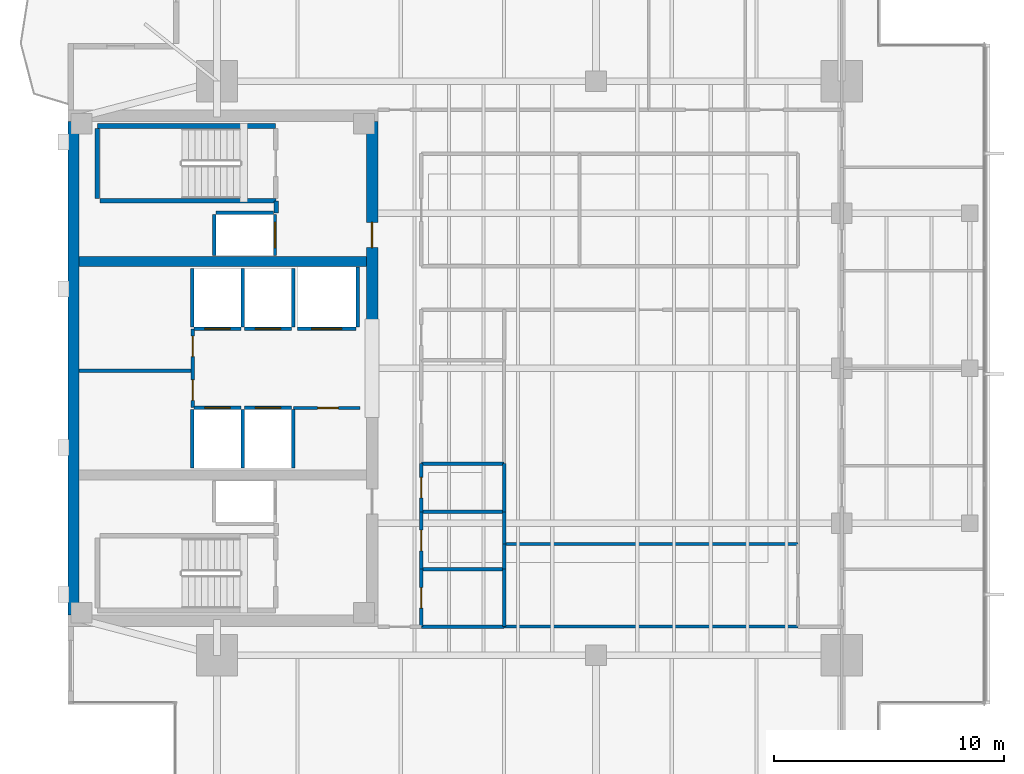
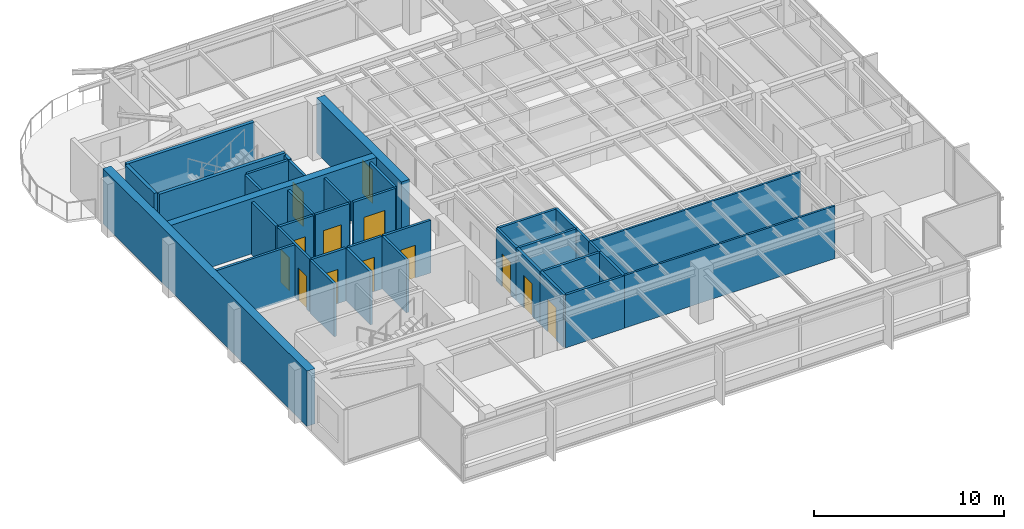
# One storey, part 8 of 14: 38 walls, 13 doors, 13 openings.
"""IFC4 building model written with IfcOpenShell, lengths in metres."""

from ifc_helpers import new_model, si_unit, direction, frame, frame_2d, origin, place, context, subcontext, project, spatial, rectangle, extrude, material, layer, layer_set, type_object, element, fill, save


model = new_model("IFC4")

# Units and contexts
model_context = context("Model", 3, precision=1e-05, world=origin(), true_north=direction((0.0, 1.0)))
body_context = subcontext(model_context, "Body", "Model", "MODEL_VIEW")
ifc_project = project(units=[si_unit("LENGTHUNIT", "METRE"), si_unit("AREAUNIT", "SQUARE_METRE"), si_unit("VOLUMEUNIT", "CUBIC_METRE"), si_unit("PLANEANGLEUNIT", "RADIAN"), si_unit("MASSUNIT", "GRAM", prefix="KILO")], contexts=[model_context])

# Site, building, storey
site_placement = place(None, origin())
site = spatial("IfcSite", under=ifc_project, at=site_placement, CompositionType="ELEMENT")
building_placement = place(site_placement, origin())
building = spatial("IfcBuilding", under=site, at=building_placement, Name="Kinhvarn Gate Tower", CompositionType="ELEMENT")
storey_placement = place(building_placement, frame((0.0, 0.0, 281.199951171875)))
storey = spatial("IfcBuildingStorey", under=building, at=storey_placement, Name="L75", CompositionType="ELEMENT", Elevation=281.199951171875)

# Wall
ifc_material_1 = material(Name="Concrete C50/60", Category="concrete")
ifc_layer_1 = layer(ifc_material_1, 0.449951171875)
ifc_layer_set_1 = layer_set([ifc_layer_1], Name="Concrete C50/60")
wall_type_1 = type_object("IfcWallType", Name="WL-CORE-450", PredefinedType="SHEAR", material=ifc_layer_set_1)
wall_1_placement = place(storey_placement, frame((5.0, 29.89990234375, 0.0), z_axis=(0.0, 0.0, 1.0), x_axis=(1.0, 0.0, 0.0)))
element("IfcWall", 1, at=wall_1_placement, inside=storey, type_object=wall_type_1, Name="Core North Spine Shear Wall L75 450 mm", PredefinedType="SHEAR", context=body_context, shape_type="SweptSolid", body=[
    extrude(rectangle(XDim=12.5, YDim=0.449951171875, at=frame_2d((6.25, 0.0))), origin(), (0.0, 0.0, 1.0), 3.550048828125),
])

# Wall, opening, door
ifc_layer_2 = layer(ifc_material_1, 0.5)
ifc_layer_set_2 = layer_set([ifc_layer_2], Name="Concrete C50/60")
wall_type_2 = type_object("IfcWallType", Name="WL-CORE-500", PredefinedType="SHEAR", material=ifc_layer_set_2)
wall_2_placement = place(storey_placement, frame((17.75, 27.050048828125, 0.0), z_axis=(0.0, 0.0, 1.0), x_axis=(0.0, 1.0, 0.0)))
wall_2 = element("IfcWall", 2, at=wall_2_placement, inside=storey, type_object=wall_type_2, Name="Core East-North Shear Pier L75 500 mm", PredefinedType="SHEAR", context=body_context, shape_type="SweptSolid", body=[
    extrude(rectangle(XDim=8.949951171875, YDim=0.5, at=frame_2d((4.47509765625, 0.0))), origin(), (0.0, 0.0, 1.0), 3.550048828125),
])
opening_1_placement = place(wall_2_placement, frame((3.449951171875, 0.0, 0.0)))
opening_1 = element("IfcOpeningElement", 3, at=opening_1_placement, cuts=wall_2, Name="Opening FD-02", PredefinedType="OPENING", context=body_context, shape_type="SweptSolid", body=[
    extrude(rectangle(XDim=1.10009765625, YDim=2.14990234375, at=frame_2d((0.550048828125, 1.074951171875))), frame((0.0, 0.260009765625, 0.0), z_axis=(0.0, -1.0, 0.0), x_axis=(1.0, 0.0, 0.0)), (0.0, 0.0, 1.0), 0.52001953125),
])
ifc_material_2 = material(Name="Anodised aluminium AW-6063", Category="aluminium")
door_type_1 = type_object("IfcDoorType", Name="DR-FD-1100", OperationType="NOTDEFINED", PredefinedType="DOOR", material=ifc_material_2)
door_1_placement = place(opening_1_placement, origin())
door_1 = element("IfcDoor", 4, at=door_1_placement, inside=storey, type_object=door_type_1, Name="Firefighting Lobby Core Door (L75)", OperationType="SINGLE_SWING_LEFT", OverallHeight=2.14990234375, OverallWidth=1.10009765625, PredefinedType="DOOR", context=body_context, shape_type="SweptSolid", body=[
    extrude(rectangle(XDim=1.10009765625, YDim=2.14990234375, at=frame_2d((0.550048828125, 1.074951171875))), frame((0.0, 0.02490234375, 0.0), z_axis=(0.0, -1.0, 0.0), x_axis=(1.0, 0.0, 0.0)), (0.0, 0.0, 1.0), 0.050048828125),
])
fill(opening_1, door_1)

# Walls
ifc_layer_3 = layer(ifc_material_1, 0.5)
ifc_layer_set_3 = layer_set([ifc_layer_3], Name="Concrete C50/60")
wall_type_3 = type_object("IfcWallType", Name="WL-COREX-500", PredefinedType="SHEAR", material=ifc_layer_set_3)
wall_3_placement = place(storey_placement, frame((4.75, 14.5, 0.0), z_axis=(0.0, 0.0, 1.0), x_axis=(0.0, 1.0, 0.0)))
element("IfcWall", 5, at=wall_3_placement, inside=storey, type_object=wall_type_3, Name="Core West Shear Wall L75 500 mm", PredefinedType="SHEAR", context=body_context, shape_type="SweptSolid", body=[
    extrude(rectangle(XDim=21.5, YDim=0.5, at=frame_2d((10.75, 0.0))), origin(), (0.0, 0.0, 1.0), 3.550048828125),
])
ifc_material_3 = material(Name="Gypsum acoustic partition board")
ifc_layer_4 = layer(ifc_material_3, 0.14990234375)
ifc_layer_set_4 = layer_set([ifc_layer_4], Name="Gypsum acoustic partition board")
wall_type_4 = type_object("IfcWallType", Name="WL-PLM-150", PredefinedType="PLUMBINGWALL", material=ifc_layer_set_4)
wall_4_placement = place(storey_placement, frame((19.89990234375, 16.5, 0.0), z_axis=(0.0, 0.0, 1.0), x_axis=(1.0, 0.0, 0.0)))
element("IfcWall", 6, at=wall_4_placement, inside=storey, type_object=wall_type_4, Name="Interior Partition PLW-150 (L75)", PredefinedType="PLUMBINGWALL", context=body_context, shape_type="SweptSolid", body=[
    extrude(rectangle(XDim=3.60009765625, YDim=0.14990234375, at=frame_2d((1.800048828125, 0.0))), origin(), (0.0, 0.0, 1.0), 3.39013671875),
])
wall_5_placement = place(storey_placement, frame((23.5, 14.0, 0.0), z_axis=(0.0, 0.0, 1.0), x_axis=(0.0, 1.0, 0.0)))
element("IfcWall", 7, at=wall_5_placement, inside=storey, type_object=wall_type_4, Name="Interior Partition PLW-150 (L75)", PredefinedType="PLUMBINGWALL", context=body_context, shape_type="SweptSolid", body=[
    extrude(rectangle(XDim=2.5, YDim=0.14990234375, at=frame_2d((1.25, 0.0))), origin(), (0.0, 0.0, 1.0), 3.39013671875),
])
for number, where, z_axis, x_axis, name in (
    (8, (19.89990234375, 14.0, 0.0), (0.0, 0.0, 1.0), (1.0, 0.0, 0.0), "Interior Partition PLW-150 (L75)"),
    (9, (19.89990234375, 19.0, 0.0), (0.0, 0.0, 1.0), (1.0, 0.0, 0.0), "Interior Partition PLW-150 (L75)"),
):
    element("IfcWall", number, at=place(storey_placement, frame(where, z_axis=z_axis, x_axis=x_axis)), inside=storey, type_object=wall_type_4, Name=name, PredefinedType="PLUMBINGWALL", context=body_context, shape_type="SweptSolid", body=[
        extrude(rectangle(XDim=3.60009765625, YDim=0.14990234375, at=frame_2d((1.800048828125, 0.0))), origin(), (0.0, 0.0, 1.0), 3.39013671875),
    ])
wall_6_placement = place(storey_placement, frame((23.5, 16.5, 0.0), z_axis=(0.0, 0.0, 1.0), x_axis=(0.0, 1.0, 0.0)))
element("IfcWall", 10, at=wall_6_placement, inside=storey, type_object=wall_type_4, Name="Interior Partition PLW-150 (L75)", PredefinedType="PLUMBINGWALL", context=body_context, shape_type="SweptSolid", body=[
    extrude(rectangle(XDim=1.10009765625, YDim=0.14990234375, at=frame_2d((0.550048828125, 0.0))), origin(), (0.0, 0.0, 1.0), 3.39013671875),
])
wall_7_placement = place(storey_placement, frame((23.5, 17.60009765625, 0.0), z_axis=(0.0, 0.0, 1.0), x_axis=(0.0, 1.0, 0.0)))
element("IfcWall", 11, at=wall_7_placement, inside=storey, type_object=wall_type_4, Name="Interior Partition PLW-150 (L75)", PredefinedType="PLUMBINGWALL", context=body_context, shape_type="SweptSolid", body=[
    extrude(rectangle(XDim=1.39990234375, YDim=0.14990234375, at=frame_2d((0.699951171875, 0.0))), origin(), (0.0, 0.0, 1.0), 3.39013671875),
])
wall_8_placement = place(storey_placement, frame((19.89990234375, 21.10009765625, 0.0), z_axis=(0.0, 0.0, 1.0), x_axis=(1.0, 0.0, 0.0)))
element("IfcWall", 12, at=wall_8_placement, inside=storey, type_object=wall_type_4, Name="Interior Partition PLW-150 (L75)", PredefinedType="PLUMBINGWALL", context=body_context, shape_type="SweptSolid", body=[
    extrude(rectangle(XDim=3.60009765625, YDim=0.14990234375, at=frame_2d((1.800048828125, 0.0))), origin(), (0.0, 0.0, 1.0), 3.39013671875),
])
wall_9_placement = place(storey_placement, frame((23.5, 19.0, 0.0), z_axis=(0.0, 0.0, 1.0), x_axis=(0.0, 1.0, 0.0)))
element("IfcWall", 13, at=wall_9_placement, inside=storey, type_object=wall_type_4, Name="Interior Partition PLW-150 (L75)", PredefinedType="PLUMBINGWALL", context=body_context, shape_type="SweptSolid", body=[
    extrude(rectangle(XDim=2.10009765625, YDim=0.14990234375, at=frame_2d((1.050048828125, 0.0))), origin(), (0.0, 0.0, 1.0), 3.39013671875),
])

# Wall, opening, door
ifc_layer_5 = layer(ifc_material_3, 0.14990234375)
ifc_layer_set_5 = layer_set([ifc_layer_5], Name="Gypsum acoustic partition board")
wall_type_5 = type_object("IfcWallType", Name="WL-PLM-150F", PredefinedType="PLUMBINGWALL", material=ifc_layer_set_5)
wall_10_placement = place(storey_placement, frame((19.89990234375, 14.0, 0.0), z_axis=(0.0, 0.0, 1.0), x_axis=(0.0, 1.0, 0.0)))
wall_10 = element("IfcWall", 14, at=wall_10_placement, inside=storey, type_object=wall_type_5, Name="Interior Partition PLW-150F (L75)", PredefinedType="PLUMBINGWALL", context=body_context, shape_type="SweptSolid", body=[
    extrude(rectangle(XDim=2.5, YDim=0.14990234375, at=frame_2d((1.25, 0.0))), origin(), (0.0, 0.0, 1.0), 3.39013671875),
])
opening_2_placement = place(wall_10_placement, frame((0.800048828125, 0.0, 0.0)))
opening_2 = element("IfcOpeningElement", 15, at=opening_2_placement, cuts=wall_10, Name="Opening FD-04", PredefinedType="OPENING", context=body_context, shape_type="SweptSolid", body=[
    extrude(rectangle(XDim=0.89990234375, YDim=2.10009765625, at=frame_2d((0.449951171875, 1.050048828125))), frame((0.0, 0.0849609375, 0.0), z_axis=(0.0, -1.0, 0.0), x_axis=(1.0, 0.0, 0.0)), (0.0, 0.0, 1.0), 0.169921875),
])
door_type_2 = type_object("IfcDoorType", Name="DR-FD-900", OperationType="NOTDEFINED", PredefinedType="DOOR", material=ifc_material_2)
door_2_placement = place(opening_2_placement, origin())
door_2 = element("IfcDoor", 16, at=door_2_placement, inside=storey, type_object=door_type_2, Name="Rated Riser & Service Closet Fire Door 900x2100 mm (L75)", OperationType="SINGLE_SWING_RIGHT", OverallHeight=2.10009765625, OverallWidth=0.89990234375, PredefinedType="DOOR", context=body_context, shape_type="SweptSolid", body=[
    extrude(rectangle(XDim=0.89990234375, YDim=2.10009765625, at=frame_2d((0.449951171875, 1.050048828125))), frame((0.0, 0.02490234375, 0.0), z_axis=(0.0, -1.0, 0.0), x_axis=(1.0, 0.0, 0.0)), (0.0, 0.0, 1.0), 0.050048828125),
])
fill(opening_2, door_2)

wall_11_placement = place(storey_placement, frame((19.89990234375, 16.5, 0.0), z_axis=(0.0, 0.0, 1.0), x_axis=(0.0, 1.0, 0.0)))
wall_11 = element("IfcWall", 17, at=wall_11_placement, inside=storey, type_object=wall_type_5, Name="Interior Partition PLW-150F (L75)", PredefinedType="PLUMBINGWALL", context=body_context, shape_type="SweptSolid", body=[
    extrude(rectangle(XDim=2.5, YDim=0.14990234375, at=frame_2d((1.25, 0.0))), origin(), (0.0, 0.0, 1.0), 3.39013671875),
])
opening_3_placement = place(wall_11_placement, frame((0.800048828125, 0.0, 0.0)))
opening_3 = element("IfcOpeningElement", 18, at=opening_3_placement, cuts=wall_11, Name="Opening FD-04", PredefinedType="OPENING", context=body_context, shape_type="SweptSolid", body=[
    extrude(rectangle(XDim=0.89990234375, YDim=2.10009765625, at=frame_2d((0.449951171875, 1.050048828125))), frame((0.0, 0.0849609375, 0.0), z_axis=(0.0, -1.0, 0.0), x_axis=(1.0, 0.0, 0.0)), (0.0, 0.0, 1.0), 0.169921875),
])
door_3_placement = place(opening_3_placement, origin())
door_3 = element("IfcDoor", 19, at=door_3_placement, inside=storey, type_object=door_type_2, Name="Rated Riser & Service Closet Fire Door 900x2100 mm (L75)", OperationType="SINGLE_SWING_LEFT", OverallHeight=2.10009765625, OverallWidth=0.89990234375, PredefinedType="DOOR", context=body_context, shape_type="SweptSolid", body=[
    extrude(rectangle(XDim=0.89990234375, YDim=2.10009765625, at=frame_2d((0.449951171875, 1.050048828125))), frame((0.0, 0.02490234375, 0.0), z_axis=(0.0, -1.0, 0.0), x_axis=(1.0, 0.0, 0.0)), (0.0, 0.0, 1.0), 0.050048828125),
])
fill(opening_3, door_3)

wall_12_placement = place(storey_placement, frame((19.89990234375, 19.0, 0.0), z_axis=(0.0, 0.0, 1.0), x_axis=(0.0, 1.0, 0.0)))
wall_12 = element("IfcWall", 20, at=wall_12_placement, inside=storey, type_object=wall_type_5, Name="Interior Partition PLW-150F (L75)", PredefinedType="PLUMBINGWALL", context=body_context, shape_type="SweptSolid", body=[
    extrude(rectangle(XDim=2.10009765625, YDim=0.14990234375, at=frame_2d((1.050048828125, 0.0))), origin(), (0.0, 0.0, 1.0), 3.39013671875),
])
opening_4_placement = place(wall_12_placement, frame((0.60009765625, 0.0, 0.0)))
opening_4 = element("IfcOpeningElement", 21, at=opening_4_placement, cuts=wall_12, Name="Opening FD-04", PredefinedType="OPENING", context=body_context, shape_type="SweptSolid", body=[
    extrude(rectangle(XDim=0.89990234375, YDim=2.10009765625, at=frame_2d((0.449951171875, 1.050048828125))), frame((0.0, 0.0849609375, 0.0), z_axis=(0.0, -1.0, 0.0), x_axis=(1.0, 0.0, 0.0)), (0.0, 0.0, 1.0), 0.169921875),
])
door_4_placement = place(opening_4_placement, origin())
door_4 = element("IfcDoor", 22, at=door_4_placement, inside=storey, type_object=door_type_2, Name="Rated Riser & Service Closet Fire Door 900x2100 mm (L75)", OperationType="SINGLE_SWING_RIGHT", OverallHeight=2.10009765625, OverallWidth=0.89990234375, PredefinedType="DOOR", context=body_context, shape_type="SweptSolid", body=[
    extrude(rectangle(XDim=0.89990234375, YDim=2.10009765625, at=frame_2d((0.449951171875, 1.050048828125))), frame((0.0, 0.02490234375, 0.0), z_axis=(0.0, -1.0, 0.0), x_axis=(1.0, 0.0, 0.0)), (0.0, 0.0, 1.0), 0.050048828125),
])
fill(opening_4, door_4)

# Walls
ifc_layer_6 = layer(ifc_material_3, 0.1201171875)
ifc_layer_set_6 = layer_set([ifc_layer_6], Name="Gypsum acoustic partition board")
wall_type_6 = type_object("IfcWallType", Name="WL-PRT-120", PredefinedType="PARTITIONING", material=ifc_layer_set_6)
for number, where, z_axis, x_axis, name in (
    (23, (23.5, 17.60009765625, 0.0), (0.0, 0.0, 1.0), (1.0, 0.0, 0.0), "Interior Partition PW-120 (L75)"),
    (24, (23.5, 14.0, 0.0), (0.0, 0.0, 1.0), (1.0, 0.0, 0.0), "Interior Partition PW-120 (L75)"),
):
    element("IfcWall", number, at=place(storey_placement, frame(where, z_axis=z_axis, x_axis=x_axis)), inside=storey, type_object=wall_type_6, Name=name, PredefinedType="PARTITIONING", context=body_context, shape_type="SweptSolid", body=[
        extrude(rectangle(XDim=12.800048828125, YDim=0.1201171875, at=frame_2d((6.39990234375, 0.0))), origin(), (0.0, 0.0, 1.0), 3.39013671875),
    ])
ifc_layer_7 = layer(ifc_material_3, 0.14990234375)
ifc_layer_set_7 = layer_set([ifc_layer_7], Name="Gypsum acoustic partition board")
wall_type_7 = type_object("IfcWallType", Name="WL-PRT-150F", PredefinedType="PARTITIONING", material=ifc_layer_set_7)
wall_13_placement = place(storey_placement, frame((5.0, 25.14990234375, 0.0), z_axis=(0.0, 0.0, 1.0), x_axis=(1.0, 0.0, 0.0)))
element("IfcWall", 25, at=wall_13_placement, inside=storey, type_object=wall_type_7, Name="Interior Partition PW-150F (L75)", PredefinedType="PARTITIONING", context=body_context, shape_type="SweptSolid", body=[
    extrude(rectangle(XDim=4.949951171875, YDim=0.14990234375, at=frame_2d((2.47509765625, 0.0))), origin(), (0.0, 0.0, 1.0), 3.39013671875),
])

# Wall, openings, doors
wall_14_placement = place(storey_placement, frame((9.949951171875, 23.550048828125, 0.0), z_axis=(0.0, 0.0, 1.0), x_axis=(0.0, 1.0, 0.0)))
wall_14 = element("IfcWall", 26, at=wall_14_placement, inside=storey, type_object=wall_type_7, Name="Interior Partition PW-150F (L75)", PredefinedType="PARTITIONING", context=body_context, shape_type="SweptSolid", body=[
    extrude(rectangle(XDim=3.39990234375, YDim=0.14990234375, at=frame_2d((1.699951171875, 0.0))), origin(), (0.0, 0.0, 1.0), 3.39013671875),
])
opening_5_placement = place(wall_14_placement, frame((0.298095703125, 0.0, 0.0)))
opening_5 = element("IfcOpeningElement", 27, at=opening_5_placement, cuts=wall_14, Name="Opening FD-04", PredefinedType="OPENING", context=body_context, shape_type="SweptSolid", body=[
    extrude(rectangle(XDim=0.89990234375, YDim=2.10009765625, at=frame_2d((0.449951171875, 1.050048828125))), frame((0.0, 0.0849609375, 0.0), z_axis=(0.0, -1.0, 0.0), x_axis=(1.0, 0.0, 0.0)), (0.0, 0.0, 1.0), 0.169921875),
])
opening_6_placement = place(wall_14_placement, frame((2.201904296875, 0.0, 0.0)))
opening_6 = element("IfcOpeningElement", 28, at=opening_6_placement, cuts=wall_14, Name="Opening FD-04", PredefinedType="OPENING", context=body_context, shape_type="SweptSolid", body=[
    extrude(rectangle(XDim=0.89990234375, YDim=2.10009765625, at=frame_2d((0.449951171875, 1.050048828125))), frame((0.0, 0.0849609375, 0.0), z_axis=(0.0, -1.0, 0.0), x_axis=(1.0, 0.0, 0.0)), (0.0, 0.0, 1.0), 0.169921875),
])
door_5_placement = place(opening_5_placement, origin())
door_5 = element("IfcDoor", 29, at=door_5_placement, inside=storey, type_object=door_type_2, Name="Rated Riser & Service Closet Fire Door 900x2100 mm (L75)", OperationType="SINGLE_SWING_RIGHT", OverallHeight=2.10009765625, OverallWidth=0.89990234375, PredefinedType="DOOR", context=body_context, shape_type="SweptSolid", body=[
    extrude(rectangle(XDim=0.89990234375, YDim=2.10009765625, at=frame_2d((0.449951171875, 1.050048828125))), frame((0.0, 0.02490234375, 0.0), z_axis=(0.0, -1.0, 0.0), x_axis=(1.0, 0.0, 0.0)), (0.0, 0.0, 1.0), 0.050048828125),
])
fill(opening_5, door_5)
door_6_placement = place(opening_6_placement, origin())
door_6 = element("IfcDoor", 30, at=door_6_placement, inside=storey, type_object=door_type_2, Name="Rated Riser & Service Closet Fire Door 900x2100 mm (L75)", OperationType="SINGLE_SWING_LEFT", OverallHeight=2.10009765625, OverallWidth=0.89990234375, PredefinedType="DOOR", context=body_context, shape_type="SweptSolid", body=[
    extrude(rectangle(XDim=0.89990234375, YDim=2.10009765625, at=frame_2d((0.449951171875, 1.050048828125))), frame((0.0, 0.02490234375, 0.0), z_axis=(0.0, -1.0, 0.0), x_axis=(1.0, 0.0, 0.0)), (0.0, 0.0, 1.0), 0.050048828125),
])
fill(opening_6, door_6)

# Wall, opening, door
wall_15_placement = place(storey_placement, frame((14.330078125, 23.52001953125, 0.0), z_axis=(0.0, 0.0, 1.0), x_axis=(1.0, 0.0, 0.0)))
wall_15 = element("IfcWall", 31, at=wall_15_placement, inside=storey, type_object=wall_type_7, Name="Interior Partition PW-150F (L75)", PredefinedType="PARTITIONING", context=body_context, shape_type="SweptSolid", body=[
    extrude(rectangle(XDim=2.889892578125, YDim=0.14990234375, at=frame_2d((1.44482421875, 0.0))), origin(), (0.0, 0.0, 1.0), 3.39013671875),
])
opening_7_placement = place(wall_15_placement, frame((1.052734375, 0.0, 0.0)))
opening_7 = element("IfcOpeningElement", 32, at=opening_7_placement, cuts=wall_15, Name="Opening FD-04", PredefinedType="OPENING", context=body_context, shape_type="SweptSolid", body=[
    extrude(rectangle(XDim=0.89990234375, YDim=2.10009765625, at=frame_2d((0.449951171875, 1.050048828125))), frame((0.0, 0.0849609375, 0.0), z_axis=(0.0, -1.0, 0.0), x_axis=(1.0, 0.0, 0.0)), (0.0, 0.0, 1.0), 0.169921875),
])
door_7_placement = place(opening_7_placement, origin())
door_7 = element("IfcDoor", 33, at=door_7_placement, inside=storey, type_object=door_type_2, Name="Rated Riser & Service Closet Fire Door 900x2100 mm (L75)", OperationType="SINGLE_SWING_RIGHT", OverallHeight=2.10009765625, OverallWidth=0.89990234375, PredefinedType="DOOR", context=body_context, shape_type="SweptSolid", body=[
    extrude(rectangle(XDim=0.89990234375, YDim=2.10009765625, at=frame_2d((0.449951171875, 1.050048828125))), frame((0.0, 0.02490234375, 0.0), z_axis=(0.0, -1.0, 0.0), x_axis=(1.0, 0.0, 0.0)), (0.0, 0.0, 1.0), 0.050048828125),
])
fill(opening_7, door_7)

# Wall
ifc_layer_8 = layer(ifc_material_3, 0.199951171875)
ifc_layer_set_8 = layer_set([ifc_layer_8], Name="Gypsum acoustic partition board")
wall_type_8 = type_object("IfcWallType", Name="WL-PRT-200", PredefinedType="PARTITIONING", material=ifc_layer_set_8)
wall_16_placement = place(storey_placement, frame((13.580078125, 32.0, 0.0), z_axis=(0.0, 0.0, 1.0), x_axis=(0.0, 1.0, 0.0)))
element("IfcWall", 34, at=wall_16_placement, inside=storey, type_object=wall_type_8, Name="Interior Partition PW-200 (L75)", PredefinedType="PARTITIONING", context=body_context, shape_type="SweptSolid", body=[
    extrude(rectangle(XDim=0.5400390625, YDim=0.199951171875, at=frame_2d((0.27001953125, 0.0))), origin(), (0.0, 0.0, 1.0), 3.39013671875),
])

# Wall, opening, door
ifc_layer_9 = layer(ifc_material_3, 0.14990234375)
ifc_layer_set_9 = layer_set([ifc_layer_9], Name="Gypsum acoustic partition board")
wall_type_9 = type_object("IfcWallType", Name="WL-SHF-150", PredefinedType="PARTITIONING", material=ifc_layer_set_9)
wall_17_placement = place(storey_placement, frame((10.0, 23.52490234375, 0.0), z_axis=(0.0, 0.0, 1.0), x_axis=(1.0, 0.0, 0.0)))
wall_17 = element("IfcWall", 35, at=wall_17_placement, inside=storey, type_object=wall_type_9, Name="Elevator PH-09 Landing Wall (L75)", PredefinedType="PARTITIONING", context=body_context, shape_type="SweptSolid", body=[
    extrude(rectangle(XDim=2.050048828125, YDim=0.14990234375, at=frame_2d((1.02490234375, 0.0))), origin(), (0.0, 0.0, 1.0), 3.39013671875),
])
opening_8_placement = place(wall_17_placement, frame((0.47509765625, 0.0, 0.0)))
opening_8 = element("IfcOpeningElement", 36, at=opening_8_placement, cuts=wall_17, Name="Opening LD-01", PredefinedType="OPENING", context=body_context, shape_type="SweptSolid", body=[
    extrude(rectangle(XDim=1.10009765625, YDim=2.199951171875, at=frame_2d((0.550048828125, 1.10009765625))), frame((0.0, 0.0849609375, 0.0), z_axis=(0.0, -1.0, 0.0), x_axis=(1.0, 0.0, 0.0)), (0.0, 0.0, 1.0), 0.169921875),
])
door_type_3 = type_object("IfcDoorType", Name="DR-LND-PAS", OperationType="NOTDEFINED", PredefinedType="DOOR", material=ifc_material_2)
door_8_placement = place(opening_8_placement, origin())
door_8 = element("IfcDoor", 37, at=door_8_placement, inside=storey, type_object=door_type_3, Name="Elevator PH-09 Sliding Landing Door (L75)", OperationType="DOUBLE_DOOR_SLIDING", OverallHeight=2.199951171875, OverallWidth=1.10009765625, PredefinedType="DOOR", context=body_context, shape_type="SweptSolid", body=[
    extrude(rectangle(XDim=1.10009765625, YDim=2.199951171875, at=frame_2d((0.550048828125, 1.10009765625))), frame((0.0, 0.02490234375, 0.0), z_axis=(0.0, -1.0, 0.0), x_axis=(1.0, 0.0, 0.0)), (0.0, 0.0, 1.0), 0.050048828125),
])
fill(opening_8, door_8)

# Walls
for number, where, z_axis, x_axis, name in (
    (38, (9.925048828125, 20.89990234375, 0.0), (0.0, 0.0, 1.0), (0.0, 1.0, 0.0), "Elevator PH-09 Hoistway Wall W (L75)"),
    (39, (12.125, 20.89990234375, 0.0), (0.0, 0.0, 1.0), (0.0, 1.0, 0.0), "Elevator PH-09 Hoistway Wall E (L75)"),
):
    element("IfcWall", number, at=place(storey_placement, frame(where, z_axis=z_axis, x_axis=x_axis)), inside=storey, type_object=wall_type_9, Name=name, PredefinedType="PARTITIONING", context=body_context, shape_type="SweptSolid", body=[
        extrude(rectangle(XDim=2.550048828125, YDim=0.14990234375, at=frame_2d((1.27490234375, 0.0))), origin(), (0.0, 0.0, 1.0), 3.39013671875),
    ])

# Wall, opening, door
wall_18_placement = place(storey_placement, frame((12.199951171875, 23.52490234375, 0.0), z_axis=(0.0, 0.0, 1.0), x_axis=(1.0, 0.0, 0.0)))
wall_18 = element("IfcWall", 40, at=wall_18_placement, inside=storey, type_object=wall_type_9, Name="Elevator PH-10 Landing Wall (L75)", PredefinedType="PARTITIONING", context=body_context, shape_type="SweptSolid", body=[
    extrude(rectangle(XDim=2.050048828125, YDim=0.14990234375, at=frame_2d((1.02490234375, 0.0))), origin(), (0.0, 0.0, 1.0), 3.39013671875),
])
opening_9_placement = place(wall_18_placement, frame((0.47509765625, 0.0, 0.0)))
opening_9 = element("IfcOpeningElement", 41, at=opening_9_placement, cuts=wall_18, Name="Opening LD-01", PredefinedType="OPENING", context=body_context, shape_type="SweptSolid", body=[
    extrude(rectangle(XDim=1.10009765625, YDim=2.199951171875, at=frame_2d((0.550048828125, 1.10009765625))), frame((0.0, 0.0849609375, 0.0), z_axis=(0.0, -1.0, 0.0), x_axis=(1.0, 0.0, 0.0)), (0.0, 0.0, 1.0), 0.169921875),
])
door_9_placement = place(opening_9_placement, origin())
door_9 = element("IfcDoor", 42, at=door_9_placement, inside=storey, type_object=door_type_3, Name="Elevator PH-10 Sliding Landing Door (L75)", OperationType="DOUBLE_DOOR_SLIDING", OverallHeight=2.199951171875, OverallWidth=1.10009765625, PredefinedType="DOOR", context=body_context, shape_type="SweptSolid", body=[
    extrude(rectangle(XDim=1.10009765625, YDim=2.199951171875, at=frame_2d((0.550048828125, 1.10009765625))), frame((0.0, 0.02490234375, 0.0), z_axis=(0.0, -1.0, 0.0), x_axis=(1.0, 0.0, 0.0)), (0.0, 0.0, 1.0), 0.050048828125),
])
fill(opening_9, door_9)

# Wall
wall_19_placement = place(storey_placement, frame((14.324951171875, 20.89990234375, 0.0), z_axis=(0.0, 0.0, 1.0), x_axis=(0.0, 1.0, 0.0)))
element("IfcWall", 43, at=wall_19_placement, inside=storey, type_object=wall_type_9, Name="Elevator PH-10 Hoistway Wall E (L75)", PredefinedType="PARTITIONING", context=body_context, shape_type="SweptSolid", body=[
    extrude(rectangle(XDim=2.550048828125, YDim=0.14990234375, at=frame_2d((1.27490234375, 0.0))), origin(), (0.0, 0.0, 1.0), 3.39013671875),
])

# Wall, opening, door
wall_20_placement = place(storey_placement, frame((10.0, 26.97509765625, 0.0), z_axis=(0.0, 0.0, 1.0), x_axis=(1.0, 0.0, 0.0)))
wall_20 = element("IfcWall", 44, at=wall_20_placement, inside=storey, type_object=wall_type_9, Name="Elevator PH-11 Landing Wall (L75)", PredefinedType="PARTITIONING", context=body_context, shape_type="SweptSolid", body=[
    extrude(rectangle(XDim=2.050048828125, YDim=0.14990234375, at=frame_2d((1.02490234375, 0.0))), origin(), (0.0, 0.0, 1.0), 3.39013671875),
])
opening_10_placement = place(wall_20_placement, frame((0.47509765625, 0.0, 0.0)))
opening_10 = element("IfcOpeningElement", 45, at=opening_10_placement, cuts=wall_20, Name="Opening LD-01", PredefinedType="OPENING", context=body_context, shape_type="SweptSolid", body=[
    extrude(rectangle(XDim=1.10009765625, YDim=2.199951171875, at=frame_2d((0.550048828125, 1.10009765625))), frame((0.0, 0.0849609375, 0.0), z_axis=(0.0, -1.0, 0.0), x_axis=(1.0, 0.0, 0.0)), (0.0, 0.0, 1.0), 0.169921875),
])
door_10_placement = place(opening_10_placement, origin())
door_10 = element("IfcDoor", 46, at=door_10_placement, inside=storey, type_object=door_type_3, Name="Elevator PH-11 Sliding Landing Door (L75)", OperationType="DOUBLE_DOOR_SLIDING", OverallHeight=2.199951171875, OverallWidth=1.10009765625, PredefinedType="DOOR", context=body_context, shape_type="SweptSolid", body=[
    extrude(rectangle(XDim=1.10009765625, YDim=2.199951171875, at=frame_2d((0.550048828125, 1.10009765625))), frame((0.0, 0.02490234375, 0.0), z_axis=(0.0, -1.0, 0.0), x_axis=(1.0, 0.0, 0.0)), (0.0, 0.0, 1.0), 0.050048828125),
])
fill(opening_10, door_10)

# Walls
for number, where, z_axis, x_axis, name in (
    (47, (9.925048828125, 27.050048828125, 0.0), (0.0, 0.0, 1.0), (0.0, 1.0, 0.0), "Elevator PH-11 Hoistway Wall W (L75)"),
    (48, (12.125, 27.050048828125, 0.0), (0.0, 0.0, 1.0), (0.0, 1.0, 0.0), "Elevator PH-11 Hoistway Wall E (L75)"),
):
    element("IfcWall", number, at=place(storey_placement, frame(where, z_axis=z_axis, x_axis=x_axis)), inside=storey, type_object=wall_type_9, Name=name, PredefinedType="PARTITIONING", context=body_context, shape_type="SweptSolid", body=[
        extrude(rectangle(XDim=2.550048828125, YDim=0.14990234375, at=frame_2d((1.27490234375, 0.0))), origin(), (0.0, 0.0, 1.0), 3.39013671875),
    ])

# Wall, opening, door
wall_21_placement = place(storey_placement, frame((12.199951171875, 26.97509765625, 0.0), z_axis=(0.0, 0.0, 1.0), x_axis=(1.0, 0.0, 0.0)))
wall_21 = element("IfcWall", 49, at=wall_21_placement, inside=storey, type_object=wall_type_9, Name="Elevator PH-12 Landing Wall (L75)", PredefinedType="PARTITIONING", context=body_context, shape_type="SweptSolid", body=[
    extrude(rectangle(XDim=2.050048828125, YDim=0.14990234375, at=frame_2d((1.02490234375, 0.0))), origin(), (0.0, 0.0, 1.0), 3.39013671875),
])
opening_11_placement = place(wall_21_placement, frame((0.47509765625, 0.0, 0.0)))
opening_11 = element("IfcOpeningElement", 50, at=opening_11_placement, cuts=wall_21, Name="Opening LD-01", PredefinedType="OPENING", context=body_context, shape_type="SweptSolid", body=[
    extrude(rectangle(XDim=1.10009765625, YDim=2.199951171875, at=frame_2d((0.550048828125, 1.10009765625))), frame((0.0, 0.0849609375, 0.0), z_axis=(0.0, -1.0, 0.0), x_axis=(1.0, 0.0, 0.0)), (0.0, 0.0, 1.0), 0.169921875),
])
door_11_placement = place(opening_11_placement, origin())
door_11 = element("IfcDoor", 51, at=door_11_placement, inside=storey, type_object=door_type_3, Name="Elevator PH-12 Sliding Landing Door (L75)", OperationType="DOUBLE_DOOR_SLIDING", OverallHeight=2.199951171875, OverallWidth=1.10009765625, PredefinedType="DOOR", context=body_context, shape_type="SweptSolid", body=[
    extrude(rectangle(XDim=1.10009765625, YDim=2.199951171875, at=frame_2d((0.550048828125, 1.10009765625))), frame((0.0, 0.02490234375, 0.0), z_axis=(0.0, -1.0, 0.0), x_axis=(1.0, 0.0, 0.0)), (0.0, 0.0, 1.0), 0.050048828125),
])
fill(opening_11, door_11)

# Wall
wall_22_placement = place(storey_placement, frame((14.324951171875, 27.050048828125, 0.0), z_axis=(0.0, 0.0, 1.0), x_axis=(0.0, 1.0, 0.0)))
element("IfcWall", 52, at=wall_22_placement, inside=storey, type_object=wall_type_9, Name="Elevator PH-12 Hoistway Wall E (L75)", PredefinedType="PARTITIONING", context=body_context, shape_type="SweptSolid", body=[
    extrude(rectangle(XDim=2.550048828125, YDim=0.14990234375, at=frame_2d((1.27490234375, 0.0))), origin(), (0.0, 0.0, 1.0), 3.39013671875),
])

# Wall, opening, door
wall_23_placement = place(storey_placement, frame((14.5, 26.97509765625, 0.0), z_axis=(0.0, 0.0, 1.0), x_axis=(1.0, 0.0, 0.0)))
wall_23 = element("IfcWall", 53, at=wall_23_placement, inside=storey, type_object=wall_type_9, Name="Elevator SV-01 Landing Wall (L75)", PredefinedType="PARTITIONING", context=body_context, shape_type="SweptSolid", body=[
    extrude(rectangle(XDim=2.550048828125, YDim=0.14990234375, at=frame_2d((1.27490234375, 0.0))), origin(), (0.0, 0.0, 1.0), 3.39013671875),
])
opening_12_placement = place(wall_23_placement, frame((0.625, 0.0, 0.0)))
opening_12 = element("IfcOpeningElement", 54, at=opening_12_placement, cuts=wall_23, Name="Opening LD-02", PredefinedType="OPENING", context=body_context, shape_type="SweptSolid", body=[
    extrude(rectangle(XDim=1.300048828125, YDim=2.199951171875, at=frame_2d((0.64990234375, 1.10009765625))), frame((0.0, 0.0849609375, 0.0), z_axis=(0.0, -1.0, 0.0), x_axis=(1.0, 0.0, 0.0)), (0.0, 0.0, 1.0), 0.169921875),
])
door_type_4 = type_object("IfcDoorType", Name="DR-LND-SRV", OperationType="NOTDEFINED", PredefinedType="DOOR", material=ifc_material_2)
door_12_placement = place(opening_12_placement, origin())
door_12 = element("IfcDoor", 55, at=door_12_placement, inside=storey, type_object=door_type_4, Name="Elevator SV-01 Sliding Landing Door (L75)", OperationType="DOUBLE_DOOR_SLIDING", OverallHeight=2.199951171875, OverallWidth=1.300048828125, PredefinedType="DOOR", context=body_context, shape_type="SweptSolid", body=[
    extrude(rectangle(XDim=1.300048828125, YDim=2.199951171875, at=frame_2d((0.64990234375, 1.10009765625))), frame((0.0, 0.02490234375, 0.0), z_axis=(0.0, -1.0, 0.0), x_axis=(1.0, 0.0, 0.0)), (0.0, 0.0, 1.0), 0.050048828125),
])
fill(opening_12, door_12)

# Walls
wall_24_placement = place(storey_placement, frame((17.125, 27.050048828125, 0.0), z_axis=(0.0, 0.0, 1.0), x_axis=(0.0, 1.0, 0.0)))
element("IfcWall", 56, at=wall_24_placement, inside=storey, type_object=wall_type_9, Name="Elevator SV-01 Hoistway Wall E (L75)", PredefinedType="PARTITIONING", context=body_context, shape_type="SweptSolid", body=[
    extrude(rectangle(XDim=2.599853515625, YDim=0.14990234375, at=frame_2d((1.2998046875, 0.0))), origin(), (0.0, 0.0, 1.0), 3.39013671875),
])
wall_25_placement = place(storey_placement, frame((10.949951171875, 32.02490234375, 0.0), z_axis=(0.0, 0.0, 1.0), x_axis=(1.0, 0.0, 0.0)))
element("IfcWall", 57, at=wall_25_placement, inside=storey, type_object=wall_type_9, Name="Elevator FF2 Hoistway Wall N (L75)", PredefinedType="PARTITIONING", context=body_context, shape_type="SweptSolid", body=[
    extrude(rectangle(XDim=2.5, YDim=0.14990234375, at=frame_2d((1.25, 0.0))), origin(), (0.0, 0.0, 1.0), 3.39013671875),
])
wall_26_placement = place(storey_placement, frame((10.875, 30.14990234375, 0.0), z_axis=(0.0, 0.0, 1.0), x_axis=(0.0, 1.0, 0.0)))
element("IfcWall", 58, at=wall_26_placement, inside=storey, type_object=wall_type_9, Name="Elevator FF2 Hoistway Wall W (L75)", PredefinedType="PARTITIONING", context=body_context, shape_type="SweptSolid", body=[
    extrude(rectangle(XDim=1.800048828125, YDim=0.14990234375, at=frame_2d((0.89990234375, 0.0))), origin(), (0.0, 0.0, 1.0), 3.39013671875),
])

# Wall, opening, door
wall_27_placement = place(storey_placement, frame((13.52490234375, 30.14990234375, 0.0), z_axis=(0.0, 0.0, 1.0), x_axis=(0.0, 1.0, 0.0)))
wall_27 = element("IfcWall", 59, at=wall_27_placement, inside=storey, type_object=wall_type_9, Name="Elevator FF2 Landing Wall (L75)", PredefinedType="PARTITIONING", context=body_context, shape_type="SweptSolid", body=[
    extrude(rectangle(XDim=1.800048828125, YDim=0.14990234375, at=frame_2d((0.89990234375, 0.0))), origin(), (0.0, 0.0, 1.0), 3.39013671875),
])
opening_13_placement = place(wall_27_placement, frame((0.35009765625, 0.0, 0.0)))
opening_13 = element("IfcOpeningElement", 60, at=opening_13_placement, cuts=wall_27, Name="Opening LD-03", PredefinedType="OPENING", context=body_context, shape_type="SweptSolid", body=[
    extrude(rectangle(XDim=1.10009765625, YDim=2.199951171875, at=frame_2d((0.550048828125, 1.10009765625))), frame((0.0, 0.0849609375, 0.0), z_axis=(0.0, -1.0, 0.0), x_axis=(1.0, 0.0, 0.0)), (0.0, 0.0, 1.0), 0.169921875),
])
door_type_5 = type_object("IfcDoorType", Name="DR-LND-FF", OperationType="NOTDEFINED", PredefinedType="DOOR", material=ifc_material_2)
door_13_placement = place(opening_13_placement, origin())
door_13 = element("IfcDoor", 61, at=door_13_placement, inside=storey, type_object=door_type_5, Name="Elevator FF2 Sliding Landing Door (L75)", OperationType="DOUBLE_DOOR_SLIDING", OverallHeight=2.199951171875, OverallWidth=1.10009765625, PredefinedType="DOOR", context=body_context, shape_type="SweptSolid", body=[
    extrude(rectangle(XDim=1.10009765625, YDim=2.199951171875, at=frame_2d((0.550048828125, 1.10009765625))), frame((0.0, 0.02490234375, 0.0), z_axis=(0.0, -1.0, 0.0), x_axis=(1.0, 0.0, 0.0)), (0.0, 0.0, 1.0), 0.050048828125),
])
fill(opening_13, door_13)

# Walls
ifc_material_4 = material(Name="Concrete C40/50", Category="concrete")
ifc_layer_10 = layer(ifc_material_4, 0.199951171875)
ifc_layer_set_10 = layer_set([ifc_layer_10], Name="Concrete C40/50")
wall_type_10 = type_object("IfcWallType", Name="WL-SHF-200", PredefinedType="SOLIDWALL", material=ifc_layer_set_10)
wall_28_placement = place(storey_placement, frame((5.800048828125, 35.800048828125, 0.0), z_axis=(0.0, 0.0, 1.0), x_axis=(1.0, 0.0, 0.0)))
element("IfcWall", 62, at=wall_28_placement, inside=storey, type_object=wall_type_10, Name="Stair ST2 North Shaft Wall (L75)", PredefinedType="SOLIDWALL", context=body_context, shape_type="SweptSolid", body=[
    extrude(rectangle(XDim=7.75, YDim=0.199951171875, at=frame_2d((3.875, 0.0))), origin(), (0.0, 0.0, 1.0), 3.550048828125),
])
wall_29_placement = place(storey_placement, frame((5.7900390625, 32.64990234375, 0.0), z_axis=(0.0, 0.0, 1.0), x_axis=(0.0, 1.0, 0.0)))
element("IfcWall", 63, at=wall_29_placement, inside=storey, type_object=wall_type_10, Name="Stair ST2 West Shaft Wall (L75)", PredefinedType="SOLIDWALL", context=body_context, shape_type="SweptSolid", body=[
    extrude(rectangle(XDim=3.050048828125, YDim=0.199951171875, at=frame_2d((1.52490234375, 0.0))), origin(), (0.0, 0.0, 1.0), 3.550048828125),
])
wall_30_placement = place(storey_placement, frame((5.89990234375, 32.5400390625, 0.0), z_axis=(0.0, 0.0, 1.0), x_axis=(1.0, 0.0, 0.0)))
element("IfcWall", 64, at=wall_30_placement, inside=storey, type_object=wall_type_10, Name="Stair ST2 South Shaft Wall (L75)", PredefinedType="SOLIDWALL", context=body_context, shape_type="SweptSolid", body=[
    extrude(rectangle(XDim=7.66015625, YDim=0.199951171875, at=frame_2d((3.830078125, 0.0))), origin(), (0.0, 0.0, 1.0), 3.550048828125),
])

save(model, "model.ifc")
